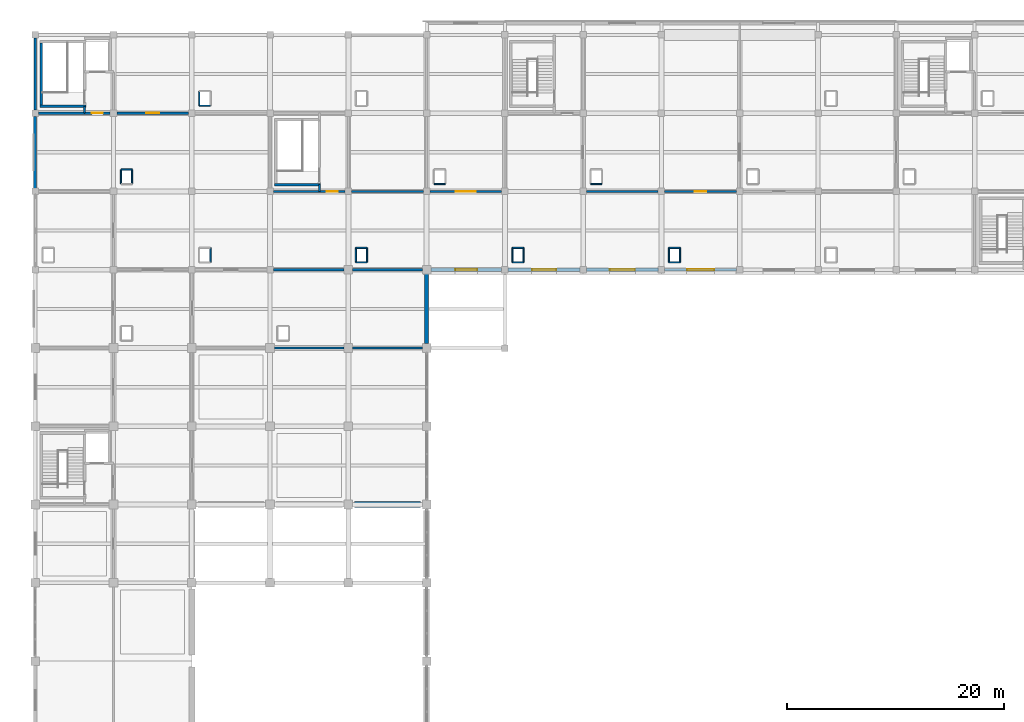
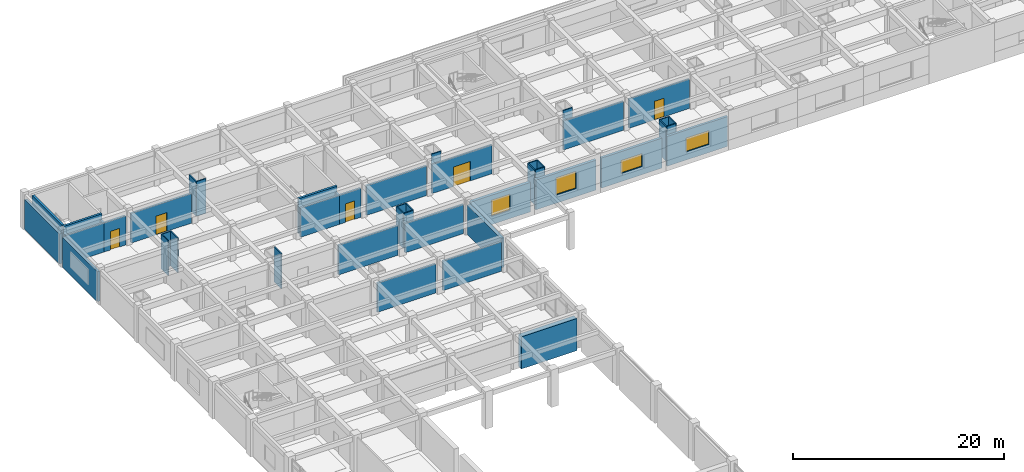
# One storey, part 55 of 70: 46 walls, 5 doors, 4 windows, 9 openings.
"""IFC4 building model written with IfcOpenShell, lengths in metres."""

from ifc_helpers import new_model, si_unit, direction, frame, frame_2d, origin, place, context, subcontext, project, spatial, rectangle, extrude, material, layer, layer_set, type_object, element, fill, save


model = new_model("IFC4")

# Units and contexts
model_context = context("Model", 3, precision=1e-05, world=origin(), true_north=direction((0.0, 1.0)))
body_context = subcontext(model_context, "Body", "Model", "MODEL_VIEW")
ifc_project = project(units=[si_unit("LENGTHUNIT", "METRE"), si_unit("AREAUNIT", "SQUARE_METRE"), si_unit("VOLUMEUNIT", "CUBIC_METRE"), si_unit("PLANEANGLEUNIT", "RADIAN"), si_unit("MASSUNIT", "GRAM", prefix="KILO")], contexts=[model_context])

# Site, building, storey
site_placement = place(None, origin())
site = spatial("IfcSite", under=ifc_project, at=site_placement, CompositionType="ELEMENT")
building_placement = place(site_placement, origin())
building = spatial("IfcBuilding", under=site, at=building_placement, Name="Kavelor Marine Aquarium", CompositionType="ELEMENT")
storey_placement = place(building_placement, frame((0.0, 0.0, 9.179931640625)))
storey = spatial("IfcBuildingStorey", under=building, at=storey_placement, Name="L02", CompositionType="ELEMENT", Elevation=9.179931640625)

# Wall
ifc_material_1 = material(Name="Concrete C45/55", Category="concrete")
ifc_layer_1 = layer(ifc_material_1, 0.360107421875)
ifc_layer_set_1 = layer_set([ifc_layer_1], Name="WL-EX1")
wall_type_1 = type_object("IfcWallType", Name="WL-EX1", PredefinedType="STANDARD", material=ifc_layer_set_1)
wall_1_placement = place(storey_placement, frame((39.199951171875, 88.804931640625, 0.0), z_axis=(0.0, 0.0, 1.0), x_axis=(0.0, -1.0, 0.0)))
element("IfcWall", 1, at=wall_1_placement, inside=storey, type_object=wall_type_1, Name="ew:y:L02:05_11", PredefinedType="STANDARD", context=body_context, shape_type="SweptSolid", body=[
    extrude(rectangle(XDim=6.409912109375, YDim=0.360107421875, at=frame_2d((3.205078125, 0.0))), origin(), (0.0, 0.0, 1.0), 3.41015625),
])

# Wall, opening, window
ifc_material_2 = material(Name="Concrete C45/55", Category="concrete")
ifc_layer_2 = layer(ifc_material_2, 0.320068359375)
ifc_layer_set_2 = layer_set([ifc_layer_2], Name="WL-EX2")
wall_type_2 = type_object("IfcWallType", Name="WL-EX2", PredefinedType="STANDARD", material=ifc_layer_set_2)
wall_2_placement = place(storey_placement, frame((46.10498046875, 89.199951171875, 0.0), z_axis=(0.0, 0.0, 1.0), x_axis=(-1.0, 0.0, 0.0)))
wall_2 = element("IfcWall", 2, at=wall_2_placement, inside=storey, type_object=wall_type_2, Name="ew:x:L02:05_12", PredefinedType="STANDARD", context=body_context, shape_type="SweptSolid", body=[
    extrude(rectangle(XDim=6.510009765625, YDim=0.320068359375, at=frame_2d((3.2548828125, 0.0))), origin(), (0.0, 0.0, 1.0), 3.41015625),
])
opening_1_placement = place(wall_2_placement, frame((2.2548828125, 0.0, 0.949951171875)))
opening_1 = element("IfcOpeningElement", 3, at=opening_1_placement, cuts=wall_2, Name="Opening W10", PredefinedType="OPENING", context=body_context, shape_type="SweptSolid", body=[
    extrude(rectangle(XDim=2.0, YDim=1.89990234375, at=frame_2d((1.0, 0.949951171875))), frame((0.0, 0.169921875, 0.0), z_axis=(0.0, -1.0, 0.0), x_axis=(1.0, 0.0, 0.0)), (0.0, 0.0, 1.0), 0.340068),
])
ifc_material_3 = material(Name="Anodised Aluminium Frame with Low-E Double Glazing", Category="aluminium")
window_type_1 = type_object("IfcWindowType", Name="WIN-W10", PartitioningType="DOUBLE_PANEL_VERTICAL", PredefinedType="WINDOW", material=ifc_material_3)
window_1_placement = place(opening_1_placement, origin())
window_1 = element("IfcWindow", 4, at=window_1_placement, inside=storey, type_object=window_type_1, Name="win:x:L02:05_12", OverallHeight=1.89990234375, OverallWidth=2.0, PartitioningType="SINGLE_PANEL", PredefinedType="WINDOW", context=body_context, shape_type="SweptSolid", body=[
    extrude(rectangle(XDim=2.0, YDim=1.89990234375, at=frame_2d((1.0, 0.949951171875))), frame((0.0, 0.030029296875, 0.0), z_axis=(0.0, -1.0, 0.0), x_axis=(1.0, 0.0, 0.0)), (0.0, 0.0, 1.0), 0.06005859375),
])
fill(opening_1, window_1)

ifc_material_4 = material(Name="Concrete C40/50", Category="concrete")
ifc_layer_3 = layer(ifc_material_4, 0.300048828125)
ifc_layer_set_3 = layer_set([ifc_layer_3], Name="WL-EX3")
wall_type_3 = type_object("IfcWallType", Name="WL-EX3", PredefinedType="STANDARD", material=ifc_layer_set_3)
wall_3_placement = place(storey_placement, frame((53.304931640625, 89.199951171875, 0.0), z_axis=(0.0, 0.0, 1.0), x_axis=(-1.0, 0.0, 0.0)))
wall_3 = element("IfcWall", 5, at=wall_3_placement, inside=storey, type_object=wall_type_3, Name="ew:x:L02:06_12", PredefinedType="STANDARD", context=body_context, shape_type="SweptSolid", body=[
    extrude(rectangle(XDim=6.60986328125, YDim=0.300048828125, at=frame_2d((3.304931640625, 0.0))), origin(), (0.0, 0.0, 1.0), 3.4599609375),
])
opening_2_placement = place(wall_3_placement, frame((2.205078125, 0.0, 0.949951171875)))
opening_2 = element("IfcOpeningElement", 6, at=opening_2_placement, cuts=wall_3, Name="Opening W12", PredefinedType="OPENING", context=body_context, shape_type="SweptSolid", body=[
    extrude(rectangle(XDim=2.199951171875, YDim=2.0, at=frame_2d((1.10009765625, 1.0))), frame((0.0, 0.159912109375, 0.0), z_axis=(0.0, -1.0, 0.0), x_axis=(1.0, 0.0, 0.0)), (0.0, 0.0, 1.0), 0.320049),
])
ifc_material_5 = material(Name="Anodised Aluminium Frame with Low-E Double Glazing", Category="aluminium")
window_type_2 = type_object("IfcWindowType", Name="WIN-W12", PartitioningType="DOUBLE_PANEL_VERTICAL", PredefinedType="WINDOW", material=ifc_material_5)
window_2_placement = place(opening_2_placement, origin())
window_2 = element("IfcWindow", 7, at=window_2_placement, inside=storey, type_object=window_type_2, Name="win:x:L02:06_12", OverallHeight=2.0, OverallWidth=2.199951171875, PartitioningType="SINGLE_PANEL", PredefinedType="WINDOW", context=body_context, shape_type="SweptSolid", body=[
    extrude(rectangle(XDim=2.199951171875, YDim=2.0, at=frame_2d((1.10009765625, 1.0))), frame((0.0, 0.030029296875, 0.0), z_axis=(0.0, -1.0, 0.0), x_axis=(1.0, 0.0, 0.0)), (0.0, 0.0, 1.0), 0.06005859375),
])
fill(opening_2, window_2)

ifc_material_6 = material(Name="Concrete C40/50", Category="concrete")
ifc_layer_4 = layer(ifc_material_6, 0.280029296875)
ifc_layer_set_4 = layer_set([ifc_layer_4], Name="WL-EX4")
wall_type_4 = type_object("IfcWallType", Name="WL-EX4", PredefinedType="STANDARD", material=ifc_layer_set_4)
wall_4_placement = place(storey_placement, frame((60.5048828125, 89.199951171875, 0.0), z_axis=(0.0, 0.0, 1.0), x_axis=(-1.0, 0.0, 0.0)))
wall_4 = element("IfcWall", 8, at=wall_4_placement, inside=storey, type_object=wall_type_4, Name="ew:x:L02:07_12", PredefinedType="STANDARD", context=body_context, shape_type="SweptSolid", body=[
    extrude(rectangle(XDim=6.60986328125, YDim=0.280029296875, at=frame_2d((3.304931640625, 0.0))), origin(), (0.0, 0.0, 1.0), 3.47998046875),
])
opening_3_placement = place(wall_4_placement, frame((2.155029296875, 0.0, 0.949951171875)))
opening_3 = element("IfcOpeningElement", 9, at=opening_3_placement, cuts=wall_4, Name="Opening W13", PredefinedType="OPENING", context=body_context, shape_type="SweptSolid", body=[
    extrude(rectangle(XDim=2.300048828125, YDim=1.5, at=frame_2d((1.14990234375, 0.75))), frame((0.0, 0.14990234375, 0.0), z_axis=(0.0, -1.0, 0.0), x_axis=(1.0, 0.0, 0.0)), (0.0, 0.0, 1.0), 0.300029),
])
ifc_material_7 = material(Name="Anodised Aluminium Frame with Low-E Double Glazing", Category="aluminium")
window_type_3 = type_object("IfcWindowType", Name="WIN-W13", PartitioningType="DOUBLE_PANEL_VERTICAL", PredefinedType="WINDOW", material=ifc_material_7)
window_3_placement = place(opening_3_placement, origin())
window_3 = element("IfcWindow", 10, at=window_3_placement, inside=storey, type_object=window_type_3, Name="win:x:L02:07_12", OverallHeight=1.5, OverallWidth=2.300048828125, PartitioningType="SINGLE_PANEL", PredefinedType="WINDOW", context=body_context, shape_type="SweptSolid", body=[
    extrude(rectangle(XDim=2.300048828125, YDim=1.5, at=frame_2d((1.14990234375, 0.75))), frame((0.0, 0.030029296875, 0.0), z_axis=(0.0, -1.0, 0.0), x_axis=(1.0, 0.0, 0.0)), (0.0, 0.0, 1.0), 0.06005859375),
])
fill(opening_3, window_3)

# Wall
wall_5_placement = place(storey_placement, frame((3.199951171875, 96.695068359375, 0.0), z_axis=(0.0, 0.0, 1.0), x_axis=(0.0, 1.0, 0.0)))
element("IfcWall", 11, at=wall_5_placement, inside=storey, type_object=wall_type_4, Name="ew:y:L02:00_13", PredefinedType="STANDARD", context=body_context, shape_type="SweptSolid", body=[
    extrude(rectangle(XDim=6.60986328125, YDim=0.280029296875, at=frame_2d((3.304931640625, 0.0))), origin(), (0.0, 0.0, 1.0), 3.47998046875),
])

# Wall, opening, window
ifc_material_8 = material(Name="Concrete C40/50", Category="concrete")
ifc_layer_5 = layer(ifc_material_8, 0.260009765625)
ifc_layer_set_5 = layer_set([ifc_layer_5], Name="WL-EX5")
wall_type_5 = type_object("IfcWallType", Name="WL-EX5", PredefinedType="STANDARD", material=ifc_layer_set_5)
wall_6_placement = place(storey_placement, frame((67.705078125, 89.199951171875, 0.0), z_axis=(0.0, 0.0, 1.0), x_axis=(-1.0, 0.0, 0.0)))
wall_6 = element("IfcWall", 12, at=wall_6_placement, inside=storey, type_object=wall_type_5, Name="ew:x:L02:08_12", PredefinedType="STANDARD", context=body_context, shape_type="SweptSolid", body=[
    extrude(rectangle(XDim=6.610107421875, YDim=0.260009765625, at=frame_2d((3.30517578125, 0.0))), origin(), (0.0, 0.0, 1.0), 3.4599609375),
])
opening_4_placement = place(wall_6_placement, frame((2.054931640625, 0.0, 0.949951171875)))
opening_4 = element("IfcOpeningElement", 13, at=opening_4_placement, cuts=wall_6, Name="Opening W15", PredefinedType="OPENING", context=body_context, shape_type="SweptSolid", body=[
    extrude(rectangle(XDim=2.5, YDim=1.60009765625, at=frame_2d((1.25, 0.800048828125))), frame((0.0, 0.139892578125, 0.0), z_axis=(0.0, -1.0, 0.0), x_axis=(1.0, 0.0, 0.0)), (0.0, 0.0, 1.0), 0.28001),
])
ifc_material_9 = material(Name="Anodised Aluminium Frame with Low-E Double Glazing", Category="aluminium")
window_type_4 = type_object("IfcWindowType", Name="WIN-W15", PartitioningType="DOUBLE_PANEL_VERTICAL", PredefinedType="WINDOW", material=ifc_material_9)
window_4_placement = place(opening_4_placement, origin())
window_4 = element("IfcWindow", 14, at=window_4_placement, inside=storey, type_object=window_type_4, Name="win:x:L02:08_12", OverallHeight=1.60009765625, OverallWidth=2.5, PartitioningType="SINGLE_PANEL", PredefinedType="WINDOW", context=body_context, shape_type="SweptSolid", body=[
    extrude(rectangle(XDim=2.5, YDim=1.60009765625, at=frame_2d((1.25, 0.800048828125))), frame((0.0, 0.030029296875, 0.0), z_axis=(0.0, -1.0, 0.0), x_axis=(1.0, 0.0, 0.0)), (0.0, 0.0, 1.0), 0.06005859375),
])
fill(opening_4, window_4)

# Walls
wall_7_placement = place(storey_placement, frame((3.199951171875, 103.89501953125, 0.0), z_axis=(0.0, 0.0, 1.0), x_axis=(0.0, 1.0, 0.0)))
element("IfcWall", 15, at=wall_7_placement, inside=storey, type_object=wall_type_5, Name="ew:y:L02:00_14", PredefinedType="STANDARD", context=body_context, shape_type="SweptSolid", body=[
    extrude(rectangle(XDim=6.60986328125, YDim=0.260009765625, at=frame_2d((3.304931640625, 0.0))), origin(), (0.0, 0.0, 1.0), 3.47998046875),
])
ifc_material_10 = material(Name="Concrete Blockwork Partition", Category="masonry")
ifc_layer_6 = layer(ifc_material_10, 0.199951171875)
ifc_layer_set_6 = layer_set([ifc_layer_6], Name="WL-PT1")
wall_type_6 = type_object("IfcWallType", Name="WL-PT1", PredefinedType="PARTITIONING", material=ifc_layer_set_6)
wall_8_placement = place(storey_placement, frame((7.739990234375, 103.60009765625, 0.0), z_axis=(0.0, 0.0, 1.0), x_axis=(0.0, 1.0, 0.0)))
element("IfcWall", 16, at=wall_8_placement, inside=storey, type_object=wall_type_6, Name="pt:st_close:s:C01:L02", PredefinedType="PARTITIONING", context=body_context, shape_type="SweptSolid", body=[
    extrude(rectangle(XDim=0.619873046875, YDim=0.199951171875, at=frame_2d((0.31005859375, 0.0))), origin(), (0.0, 0.0, 1.0), 3.380126953125),
])
wall_9_placement = place(storey_placement, frame((3.5, 103.60009765625, 0.0), z_axis=(0.0, 0.0, 1.0), x_axis=(1.0, 0.0, 0.0)))
element("IfcWall", 17, at=wall_9_placement, inside=storey, type_object=wall_type_6, Name="pt:lob:C01:L02:s_st", PredefinedType="PARTITIONING", context=body_context, shape_type="SweptSolid", body=[
    extrude(rectangle(XDim=4.239990234375, YDim=0.199951171875, at=frame_2d((2.1201171875, 0.0))), origin(), (0.0, 0.0, 1.0), 3.380126953125),
])

# Wall, opening, door
wall_10_placement = place(storey_placement, frame((7.739990234375, 103.60009765625, 0.0), z_axis=(0.0, 0.0, 1.0), x_axis=(1.0, 0.0, 0.0)))
wall_10 = element("IfcWall", 18, at=wall_10_placement, inside=storey, type_object=wall_type_6, Name="pt:lob:C01:L02:s", PredefinedType="PARTITIONING", context=body_context, shape_type="SweptSolid", body=[
    extrude(rectangle(XDim=2.360107421875, YDim=0.199951171875, at=frame_2d((1.18017578125, 0.0))), origin(), (0.0, 0.0, 1.0), 3.380126953125),
])
opening_5_placement = place(wall_10_placement, frame((0.669921875, 0.0, 0.0)))
opening_5 = element("IfcOpeningElement", 19, at=opening_5_placement, cuts=wall_10, Name="Opening SD1", PredefinedType="OPENING", context=body_context, shape_type="SweptSolid", body=[
    extrude(rectangle(XDim=1.02001953125, YDim=2.14990234375, at=frame_2d((0.510009765625, 1.074951171875))), frame((0.0, 0.10986328125, 0.0), z_axis=(0.0, -1.0, 0.0), x_axis=(1.0, 0.0, 0.0)), (0.0, 0.0, 1.0), 0.219951),
])
ifc_material_11 = material(Name="Fire-Rated Corridor Compartment Door")
door_type_1 = type_object("IfcDoorType", Name="DR-SD1", OperationType="NOTDEFINED", PredefinedType="DOOR", material=ifc_material_11)
door_1_placement = place(opening_5_placement, origin())
door_1 = element("IfcDoor", 20, at=door_1_placement, inside=storey, type_object=door_type_1, Name="Core Lobby Fire Door C01-L02", OperationType="SINGLE_SWING_RIGHT", OverallHeight=2.14990234375, OverallWidth=1.02001953125, PredefinedType="DOOR", context=body_context, shape_type="SweptSolid", body=[
    extrude(rectangle(XDim=1.02001953125, YDim=2.14990234375, at=frame_2d((0.510009765625, 1.074951171875))), frame((0.0, 0.02490234375, 0.0), z_axis=(0.0, -1.0, 0.0), x_axis=(1.0, 0.0, 0.0)), (0.0, 0.0, 1.0), 0.050048828125),
])
fill(opening_5, door_1)

# Walls
wall_11_placement = place(storey_placement, frame((29.340087890625, 96.39990234375, 0.0), z_axis=(0.0, 0.0, 1.0), x_axis=(0.0, 1.0, 0.0)))
element("IfcWall", 21, at=wall_11_placement, inside=storey, type_object=wall_type_6, Name="pt:st_close:s:C02:L02", PredefinedType="PARTITIONING", context=body_context, shape_type="SweptSolid", body=[
    extrude(rectangle(XDim=0.6201171875, YDim=0.199951171875, at=frame_2d((0.31005859375, 0.0))), origin(), (0.0, 0.0, 1.0), 3.380126953125),
])
wall_12_placement = place(storey_placement, frame((25.10009765625, 96.39990234375, 0.0), z_axis=(0.0, 0.0, 1.0), x_axis=(1.0, 0.0, 0.0)))
element("IfcWall", 22, at=wall_12_placement, inside=storey, type_object=wall_type_6, Name="pt:lob:C02:L02:s_st", PredefinedType="PARTITIONING", context=body_context, shape_type="SweptSolid", body=[
    extrude(rectangle(XDim=4.239990234375, YDim=0.199951171875, at=frame_2d((2.1201171875, 0.0))), origin(), (0.0, 0.0, 1.0), 3.380126953125),
])

# Wall, opening, door
wall_13_placement = place(storey_placement, frame((29.340087890625, 96.39990234375, 0.0), z_axis=(0.0, 0.0, 1.0), x_axis=(1.0, 0.0, 0.0)))
wall_13 = element("IfcWall", 23, at=wall_13_placement, inside=storey, type_object=wall_type_6, Name="pt:lob:C02:L02:s", PredefinedType="PARTITIONING", context=body_context, shape_type="SweptSolid", body=[
    extrude(rectangle(XDim=2.35986328125, YDim=0.199951171875, at=frame_2d((1.179931640625, 0.0))), origin(), (0.0, 0.0, 1.0), 3.380126953125),
])
opening_6_placement = place(wall_13_placement, frame((0.669921875, 0.0, 0.0)))
opening_6 = element("IfcOpeningElement", 24, at=opening_6_placement, cuts=wall_13, Name="Opening SD1", PredefinedType="OPENING", context=body_context, shape_type="SweptSolid", body=[
    extrude(rectangle(XDim=1.02001953125, YDim=2.14990234375, at=frame_2d((0.510009765625, 1.074951171875))), frame((0.0, 0.10986328125, 0.0), z_axis=(0.0, -1.0, 0.0), x_axis=(1.0, 0.0, 0.0)), (0.0, 0.0, 1.0), 0.219951),
])
door_2_placement = place(opening_6_placement, origin())
door_2 = element("IfcDoor", 25, at=door_2_placement, inside=storey, type_object=door_type_1, Name="Core Lobby Fire Door C02-L02", OperationType="SINGLE_SWING_RIGHT", OverallHeight=2.14990234375, OverallWidth=1.02001953125, PredefinedType="DOOR", context=body_context, shape_type="SweptSolid", body=[
    extrude(rectangle(XDim=1.02001953125, YDim=2.14990234375, at=frame_2d((0.510009765625, 1.074951171875))), frame((0.0, 0.02490234375, 0.0), z_axis=(0.0, -1.0, 0.0), x_axis=(1.0, 0.0, 0.0)), (0.0, 0.0, 1.0), 0.050048828125),
])
fill(opening_6, door_2)

wall_14_placement = place(storey_placement, frame((10.699951171875, 103.60009765625, 0.0), z_axis=(0.0, 0.0, 1.0), x_axis=(1.0, 0.0, 0.0)))
wall_14 = element("IfcWall", 26, at=wall_14_placement, inside=storey, type_object=wall_type_6, Name="pt:x:L02:01_13", PredefinedType="PARTITIONING", context=body_context, shape_type="SweptSolid", body=[
    extrude(rectangle(XDim=6.60009765625, YDim=0.199951171875, at=frame_2d((3.300048828125, 0.0))), origin(), (0.0, 0.0, 1.0), 3.43017578125),
])
opening_7_placement = place(wall_14_placement, frame((2.68994140625, 0.0, 0.0)))
opening_7 = element("IfcOpeningElement", 27, at=opening_7_placement, cuts=wall_14, Name="Opening D06", PredefinedType="OPENING", context=body_context, shape_type="SweptSolid", body=[
    extrude(rectangle(XDim=1.219970703125, YDim=2.159912109375, at=frame_2d((0.60986328125, 1.080078125))), frame((0.0, 0.10986328125, 0.0), z_axis=(0.0, -1.0, 0.0), x_axis=(1.0, 0.0, 0.0)), (0.0, 0.0, 1.0), 0.219951),
])
ifc_material_12 = material(Name="Biosecure Quarantine Plant Room Door")
door_type_2 = type_object("IfcDoorType", Name="DR-D06", OperationType="NOTDEFINED", PredefinedType="DOOR", material=ifc_material_12)
door_3_placement = place(opening_7_placement, origin())
door_3 = element("IfcDoor", 28, at=door_3_placement, inside=storey, type_object=door_type_2, Name="dr:rm:pt:x:L02:01_13:0", OperationType="SINGLE_SWING_LEFT", OverallHeight=2.159912109375, OverallWidth=1.219970703125, PredefinedType="DOOR", context=body_context, shape_type="SweptSolid", body=[
    extrude(rectangle(XDim=1.219970703125, YDim=2.159912109375, at=frame_2d((0.60986328125, 1.080078125))), frame((0.0, 0.02490234375, 0.0), z_axis=(0.0, -1.0, 0.0), x_axis=(1.0, 0.0, 0.0)), (0.0, 0.0, 1.0), 0.050048828125),
])
fill(opening_7, door_3)

# Walls
wall_15_placement = place(storey_placement, frame((25.199951171875, 82.0, 0.0), z_axis=(0.0, 0.0, 1.0), x_axis=(1.0, 0.0, 0.0)))
element("IfcWall", 29, at=wall_15_placement, inside=storey, type_object=wall_type_6, Name="pt:x:L02:03_10", PredefinedType="PARTITIONING", context=body_context, shape_type="SweptSolid", body=[
    extrude(rectangle(XDim=6.400146484375, YDim=0.199951171875, at=frame_2d((3.2001953125, 0.0))), origin(), (0.0, 0.0, 1.0), 3.380126953125),
])
wall_16_placement = place(storey_placement, frame((25.10009765625, 89.199951171875, 0.0), z_axis=(0.0, 0.0, 1.0), x_axis=(1.0, 0.0, 0.0)))
element("IfcWall", 30, at=wall_16_placement, inside=storey, type_object=wall_type_6, Name="pt:x:L02:03_11", PredefinedType="PARTITIONING", context=body_context, shape_type="SweptSolid", body=[
    extrude(rectangle(XDim=6.5, YDim=0.199951171875, at=frame_2d((3.25, 0.0))), origin(), (0.0, 0.0, 1.0), 3.43017578125),
])
wall_17_placement = place(storey_placement, frame((32.39990234375, 82.0, 0.0), z_axis=(0.0, 0.0, 1.0), x_axis=(1.0, 0.0, 0.0)))
element("IfcWall", 31, at=wall_17_placement, inside=storey, type_object=wall_type_6, Name="pt:x:L02:04_10", PredefinedType="PARTITIONING", context=body_context, shape_type="SweptSolid", body=[
    extrude(rectangle(XDim=6.400146484375, YDim=0.199951171875, at=frame_2d((3.2001953125, 0.0))), origin(), (0.0, 0.0, 1.0), 3.41015625),
])
wall_18_placement = place(storey_placement, frame((32.39990234375, 89.199951171875, 0.0), z_axis=(0.0, 0.0, 1.0), x_axis=(1.0, 0.0, 0.0)))
element("IfcWall", 32, at=wall_18_placement, inside=storey, type_object=wall_type_6, Name="pt:x:L02:04_11", PredefinedType="PARTITIONING", context=body_context, shape_type="SweptSolid", body=[
    extrude(rectangle(XDim=6.400146484375, YDim=0.199951171875, at=frame_2d((3.2001953125, 0.0))), origin(), (0.0, 0.0, 1.0), 3.380126953125),
])
wall_19_placement = place(storey_placement, frame((32.300048828125, 96.39990234375, 0.0), z_axis=(0.0, 0.0, 1.0), x_axis=(1.0, 0.0, 0.0)))
element("IfcWall", 33, at=wall_19_placement, inside=storey, type_object=wall_type_6, Name="pt:x:L02:04_12", PredefinedType="PARTITIONING", context=body_context, shape_type="SweptSolid", body=[
    extrude(rectangle(XDim=6.599853515625, YDim=0.199951171875, at=frame_2d((3.2998046875, 0.0))), origin(), (0.0, 0.0, 1.0), 3.43017578125),
])

# Wall, opening, door
ifc_material_13 = material(Name="Acoustic Gypsum Stud Partition")
ifc_layer_7 = layer(ifc_material_13, 0.159912109375)
ifc_layer_set_7 = layer_set([ifc_layer_7], Name="WL-PT2")
wall_type_7 = type_object("IfcWallType", Name="WL-PT2", PredefinedType="PARTITIONING", material=ifc_layer_set_7)
wall_20_placement = place(storey_placement, frame((39.5, 96.39990234375, 0.0), z_axis=(0.0, 0.0, 1.0), x_axis=(1.0, 0.0, 0.0)))
wall_20 = element("IfcWall", 34, at=wall_20_placement, inside=storey, type_object=wall_type_7, Name="pt:x:L02:05_12", PredefinedType="PARTITIONING", context=body_context, shape_type="SweptSolid", body=[
    extrude(rectangle(XDim=6.60009765625, YDim=0.159912109375, at=frame_2d((3.300048828125, 0.0))), origin(), (0.0, 0.0, 1.0), 3.360107421875),
])
opening_8_placement = place(wall_20_placement, frame((2.3701171875, 0.0, 0.0)))
opening_8 = element("IfcOpeningElement", 35, at=opening_8_placement, cuts=wall_20, Name="Opening D13", PredefinedType="OPENING", context=body_context, shape_type="SweptSolid", body=[
    extrude(rectangle(XDim=1.860107421875, YDim=2.260009765625, at=frame_2d((0.93017578125, 1.1298828125))), frame((0.0, 0.08984375, 0.0), z_axis=(0.0, -1.0, 0.0), x_axis=(1.0, 0.0, 0.0)), (0.0, 0.0, 1.0), 0.179912),
])
ifc_material_14 = material(Name="Main Foyer Exhibition Double Door")
door_type_3 = type_object("IfcDoorType", Name="DR-D13", OperationType="NOTDEFINED", PredefinedType="DOOR", material=ifc_material_14)
door_4_placement = place(opening_8_placement, origin())
door_4 = element("IfcDoor", 36, at=door_4_placement, inside=storey, type_object=door_type_3, Name="dr:rm:pt:x:L02:05_12:0", OperationType="DOUBLE_DOOR_SINGLE_SWING", OverallHeight=2.260009765625, OverallWidth=1.860107421875, PredefinedType="DOOR", context=body_context, shape_type="SweptSolid", body=[
    extrude(rectangle(XDim=1.860107421875, YDim=2.260009765625, at=frame_2d((0.93017578125, 1.1298828125))), frame((0.0, 0.02490234375, 0.0), z_axis=(0.0, -1.0, 0.0), x_axis=(1.0, 0.0, 0.0)), (0.0, 0.0, 1.0), 0.050048828125),
])
fill(opening_8, door_4)

# Wall
wall_21_placement = place(storey_placement, frame((53.89990234375, 96.39990234375, 0.0), z_axis=(0.0, 0.0, 1.0), x_axis=(1.0, 0.0, 0.0)))
element("IfcWall", 37, at=wall_21_placement, inside=storey, type_object=wall_type_7, Name="pt:x:L02:07_12", PredefinedType="PARTITIONING", context=body_context, shape_type="SweptSolid", body=[
    extrude(rectangle(XDim=6.60009765625, YDim=0.159912109375, at=frame_2d((3.300048828125, 0.0))), origin(), (0.0, 0.0, 1.0), 3.360107421875),
])

# Wall, opening, door
wall_22_placement = place(storey_placement, frame((61.10009765625, 96.39990234375, 0.0), z_axis=(0.0, 0.0, 1.0), x_axis=(1.0, 0.0, 0.0)))
wall_22 = element("IfcWall", 38, at=wall_22_placement, inside=storey, type_object=wall_type_7, Name="pt:x:L02:08_12", PredefinedType="PARTITIONING", context=body_context, shape_type="SweptSolid", body=[
    extrude(rectangle(XDim=6.599853515625, YDim=0.159912109375, at=frame_2d((3.2998046875, 0.0))), origin(), (0.0, 0.0, 1.0), 3.41015625),
])
opening_9_placement = place(wall_22_placement, frame((2.760009765625, 0.0, 0.0)))
opening_9 = element("IfcOpeningElement", 39, at=opening_9_placement, cuts=wall_22, Name="Opening D08", PredefinedType="OPENING", context=body_context, shape_type="SweptSolid", body=[
    extrude(rectangle(XDim=1.080078125, YDim=2.159912109375, at=frame_2d((0.5400390625, 1.080078125))), frame((0.0, 0.08984375, 0.0), z_axis=(0.0, -1.0, 0.0), x_axis=(1.0, 0.0, 0.0)), (0.0, 0.0, 1.0), 0.179912),
])
ifc_material_15 = material(Name="Discovery Wet Lab Vision Door")
door_type_4 = type_object("IfcDoorType", Name="DR-D08", OperationType="NOTDEFINED", PredefinedType="DOOR", material=ifc_material_15)
door_5_placement = place(opening_9_placement, origin())
door_5 = element("IfcDoor", 40, at=door_5_placement, inside=storey, type_object=door_type_4, Name="dr:rm:pt:x:L02:08_12:1", OperationType="SINGLE_SWING_RIGHT", OverallHeight=2.159912109375, OverallWidth=1.080078125, PredefinedType="DOOR", context=body_context, shape_type="SweptSolid", body=[
    extrude(rectangle(XDim=1.080078125, YDim=2.159912109375, at=frame_2d((0.5400390625, 1.080078125))), frame((0.0, 0.02490234375, 0.0), z_axis=(0.0, -1.0, 0.0), x_axis=(1.0, 0.0, 0.0)), (0.0, 0.0, 1.0), 0.050048828125),
])
fill(opening_9, door_5)

# Walls
ifc_material_16 = material(Name="Lightweight Drywall Partition")
ifc_layer_8 = layer(ifc_material_16, 0.1201171875)
ifc_layer_set_8 = layer_set([ifc_layer_8], Name="WL-PT4")
wall_type_8 = type_object("IfcWallType", Name="WL-PT4", PredefinedType="PARTITIONING", material=ifc_layer_set_8)
wall_23_placement = place(storey_placement, frame((11.090087890625, 98.409912109375, 0.0), z_axis=(0.0, 0.0, 1.0), x_axis=(1.0, 0.0, 0.0)))
element("IfcWall", 41, at=wall_23_placement, inside=storey, type_object=wall_type_8, Name="riser:n:L02:01_13", PredefinedType="PARTITIONING", context=body_context, shape_type="SweptSolid", body=[
    extrude(rectangle(XDim=1.02001953125, YDim=0.1201171875, at=frame_2d((0.510009765625, 0.0))), origin(), (0.0, 0.0, 1.0), 4.02001953125),
])
for number, where, z_axis, x_axis, name in (
    (42, (11.090087890625, 97.090087890625, 0.0), (0.0, 0.0, 1.0), (0.0, 1.0, 0.0), "riser:w:L02:01_13"),
    (43, (12.110107421875, 97.090087890625, 0.0), (0.0, 0.0, 1.0), (0.0, 1.0, 0.0), "riser:e:L02:01_13"),
):
    element("IfcWall", number, at=place(storey_placement, frame(where, z_axis=z_axis, x_axis=x_axis)), inside=storey, type_object=wall_type_8, Name=name, PredefinedType="PARTITIONING", context=body_context, shape_type="SweptSolid", body=[
        extrude(rectangle(XDim=1.31982421875, YDim=0.1201171875, at=frame_2d((0.659912109375, 0.0))), origin(), (0.0, 0.0, 1.0), 4.02001953125),
    ])
wall_24_placement = place(storey_placement, frame((19.31005859375, 89.889892578125, 0.0), z_axis=(0.0, 0.0, 1.0), x_axis=(0.0, 1.0, 0.0)))
element("IfcWall", 44, at=wall_24_placement, inside=storey, type_object=wall_type_8, Name="riser:e:L02:02_12", PredefinedType="PARTITIONING", context=body_context, shape_type="SweptSolid", body=[
    extrude(rectangle(XDim=1.320068359375, YDim=0.1201171875, at=frame_2d((0.66015625, 0.0))), origin(), (0.0, 0.0, 1.0), 4.02001953125),
])
wall_25_placement = place(storey_placement, frame((18.2900390625, 104.2900390625, 0.0), z_axis=(0.0, 0.0, 1.0), x_axis=(1.0, 0.0, 0.0)))
element("IfcWall", 45, at=wall_25_placement, inside=storey, type_object=wall_type_8, Name="riser:s:L02:02_14", PredefinedType="PARTITIONING", context=body_context, shape_type="SweptSolid", body=[
    extrude(rectangle(XDim=1.02001953125, YDim=0.1201171875, at=frame_2d((0.510009765625, 0.0))), origin(), (0.0, 0.0, 1.0), 4.02001953125),
])
wall_26_placement = place(storey_placement, frame((18.2900390625, 104.2900390625, 0.0), z_axis=(0.0, 0.0, 1.0), x_axis=(0.0, 1.0, 0.0)))
element("IfcWall", 46, at=wall_26_placement, inside=storey, type_object=wall_type_8, Name="riser:w:L02:02_14", PredefinedType="PARTITIONING", context=body_context, shape_type="SweptSolid", body=[
    extrude(rectangle(XDim=1.320068359375, YDim=0.1201171875, at=frame_2d((0.66015625, 0.0))), origin(), (0.0, 0.0, 1.0), 4.02001953125),
])
for number, where, z_axis, x_axis, name in (
    (47, (32.68994140625, 89.889892578125, 0.0), (0.0, 0.0, 1.0), (1.0, 0.0, 0.0), "riser:s:L02:04_12"),
    (48, (32.68994140625, 91.2099609375, 0.0), (0.0, 0.0, 1.0), (1.0, 0.0, 0.0), "riser:n:L02:04_12"),
):
    element("IfcWall", number, at=place(storey_placement, frame(where, z_axis=z_axis, x_axis=x_axis)), inside=storey, type_object=wall_type_8, Name=name, PredefinedType="PARTITIONING", context=body_context, shape_type="SweptSolid", body=[
        extrude(rectangle(XDim=1.02001953125, YDim=0.1201171875, at=frame_2d((0.510009765625, 0.0))), origin(), (0.0, 0.0, 1.0), 4.02001953125),
    ])
for number, where, z_axis, x_axis, name in (
    (49, (32.68994140625, 89.889892578125, 0.0), (0.0, 0.0, 1.0), (0.0, 1.0, 0.0), "riser:w:L02:04_12"),
    (50, (33.7099609375, 89.889892578125, 0.0), (0.0, 0.0, 1.0), (0.0, 1.0, 0.0), "riser:e:L02:04_12"),
):
    element("IfcWall", number, at=place(storey_placement, frame(where, z_axis=z_axis, x_axis=x_axis)), inside=storey, type_object=wall_type_8, Name=name, PredefinedType="PARTITIONING", context=body_context, shape_type="SweptSolid", body=[
        extrude(rectangle(XDim=1.320068359375, YDim=0.1201171875, at=frame_2d((0.66015625, 0.0))), origin(), (0.0, 0.0, 1.0), 4.02001953125),
    ])
for number, where, z_axis, x_axis, name in (
    (51, (39.889892578125, 97.090087890625, 0.0), (0.0, 0.0, 1.0), (1.0, 0.0, 0.0), "riser:s:L02:05_13"),
    (52, (47.090087890625, 89.889892578125, 0.0), (0.0, 0.0, 1.0), (1.0, 0.0, 0.0), "riser:s:L02:06_12"),
    (53, (47.090087890625, 91.2099609375, 0.0), (0.0, 0.0, 1.0), (1.0, 0.0, 0.0), "riser:n:L02:06_12"),
):
    element("IfcWall", number, at=place(storey_placement, frame(where, z_axis=z_axis, x_axis=x_axis)), inside=storey, type_object=wall_type_8, Name=name, PredefinedType="PARTITIONING", context=body_context, shape_type="SweptSolid", body=[
        extrude(rectangle(XDim=1.02001953125, YDim=0.1201171875, at=frame_2d((0.510009765625, 0.0))), origin(), (0.0, 0.0, 1.0), 4.0),
    ])
for number, where, z_axis, x_axis, name in (
    (54, (47.090087890625, 89.889892578125, 0.0), (0.0, 0.0, 1.0), (0.0, 1.0, 0.0), "riser:w:L02:06_12"),
    (55, (48.110107421875, 89.889892578125, 0.0), (0.0, 0.0, 1.0), (0.0, 1.0, 0.0), "riser:e:L02:06_12"),
):
    element("IfcWall", number, at=place(storey_placement, frame(where, z_axis=z_axis, x_axis=x_axis)), inside=storey, type_object=wall_type_8, Name=name, PredefinedType="PARTITIONING", context=body_context, shape_type="SweptSolid", body=[
        extrude(rectangle(XDim=1.320068359375, YDim=0.1201171875, at=frame_2d((0.66015625, 0.0))), origin(), (0.0, 0.0, 1.0), 4.0),
    ])
for number, where, z_axis, x_axis, name in (
    (56, (54.2900390625, 97.090087890625, 0.0), (0.0, 0.0, 1.0), (1.0, 0.0, 0.0), "riser:s:L02:07_13"),
    (57, (61.489990234375, 89.889892578125, 0.0), (0.0, 0.0, 1.0), (1.0, 0.0, 0.0), "riser:s:L02:08_12"),
    (58, (61.489990234375, 91.2099609375, 0.0), (0.0, 0.0, 1.0), (1.0, 0.0, 0.0), "riser:n:L02:08_12"),
):
    element("IfcWall", number, at=place(storey_placement, frame(where, z_axis=z_axis, x_axis=x_axis)), inside=storey, type_object=wall_type_8, Name=name, PredefinedType="PARTITIONING", context=body_context, shape_type="SweptSolid", body=[
        extrude(rectangle(XDim=1.02001953125, YDim=0.1201171875, at=frame_2d((0.510009765625, 0.0))), origin(), (0.0, 0.0, 1.0), 4.0),
    ])
for number, where, z_axis, x_axis, name in (
    (59, (61.489990234375, 89.889892578125, 0.0), (0.0, 0.0, 1.0), (0.0, 1.0, 0.0), "riser:w:L02:08_12"),
    (60, (62.510009765625, 89.889892578125, 0.0), (0.0, 0.0, 1.0), (0.0, 1.0, 0.0), "riser:e:L02:08_12"),
):
    element("IfcWall", number, at=place(storey_placement, frame(where, z_axis=z_axis, x_axis=x_axis)), inside=storey, type_object=wall_type_8, Name=name, PredefinedType="PARTITIONING", context=body_context, shape_type="SweptSolid", body=[
        extrude(rectangle(XDim=1.320068359375, YDim=0.1201171875, at=frame_2d((0.66015625, 0.0))), origin(), (0.0, 0.0, 1.0), 4.0),
    ])
ifc_material_17 = material(Name="Concrete C40/50", Category="concrete")
ifc_layer_9 = layer(ifc_material_17, 0.35009765625)
ifc_layer_set_9 = layer_set([ifc_layer_9], Name="WL-SW2")
wall_type_9 = type_object("IfcWallType", Name="WL-SW2", PredefinedType="SHEAR", material=ifc_layer_set_9)
wall_27_placement = place(storey_placement, frame((3.6201171875, 104.219970703125, 0.0), z_axis=(0.0, 0.0, 1.0), x_axis=(1.0, 0.0, 0.0)))
element("IfcWall", 61, at=wall_27_placement, inside=storey, type_object=wall_type_9, Name="cw_st:s:C01:L02", PredefinedType="SHEAR", context=body_context, shape_type="SweptSolid", body=[
    extrude(rectangle(XDim=4.239990234375, YDim=0.239990234375, at=frame_2d((2.1201171875, 0.0))), origin(), (0.0, 0.0, 1.0), 4.0400390625),
])
wall_28_placement = place(storey_placement, frame((3.739990234375, 104.340087890625, 0.0), z_axis=(0.0, 0.0, 1.0), x_axis=(0.0, 1.0, 0.0)))
element("IfcWall", 62, at=wall_28_placement, inside=storey, type_object=wall_type_9, Name="cw_st:w:C01:L02", PredefinedType="SHEAR", context=body_context, shape_type="SweptSolid", body=[
    extrude(rectangle(XDim=5.719970703125, YDim=0.239990234375, at=frame_2d((2.85986328125, 0.0))), origin(), (0.0, 0.0, 1.0), 4.0400390625),
])
wall_29_placement = place(storey_placement, frame((25.219970703125, 97.02001953125, 0.0), z_axis=(0.0, 0.0, 1.0), x_axis=(1.0, 0.0, 0.0)))
element("IfcWall", 63, at=wall_29_placement, inside=storey, type_object=wall_type_9, Name="cw_st:s:C02:L02", PredefinedType="SHEAR", context=body_context, shape_type="SweptSolid", body=[
    extrude(rectangle(XDim=4.239990234375, YDim=0.239990234375, at=frame_2d((2.1201171875, 0.0))), origin(), (0.0, 0.0, 1.0), 4.0400390625),
])
ifc_material_18 = material(Name="Concrete C45/55", Category="concrete")
ifc_layer_10 = layer(ifc_material_18, 0.550048828125)
ifc_layer_set_10 = layer_set([ifc_layer_10], Name="WL-TK2")
wall_type_10 = type_object("IfcWallType", Name="WL-TK2", PredefinedType="SHEAR", material=ifc_layer_set_10)
wall_30_placement = place(storey_placement, frame((32.550048828125, 67.60009765625, -0.300048828125), z_axis=(0.0, 0.0, 1.0), x_axis=(1.0, 0.0, 0.0)))
element("IfcWall", 64, at=wall_30_placement, inside=storey, type_object=wall_type_10, Name="tkw:x:L02:04_09", PredefinedType="SHEAR", context=body_context, shape_type="SweptSolid", body=[
    extrude(rectangle(XDim=6.099853515625, YDim=0.550048828125, at=frame_2d((3.0498046875, 0.0))), origin(), (0.0, 0.0, 1.0), 3.72021484375),
])

save(model, "model.ifc")
